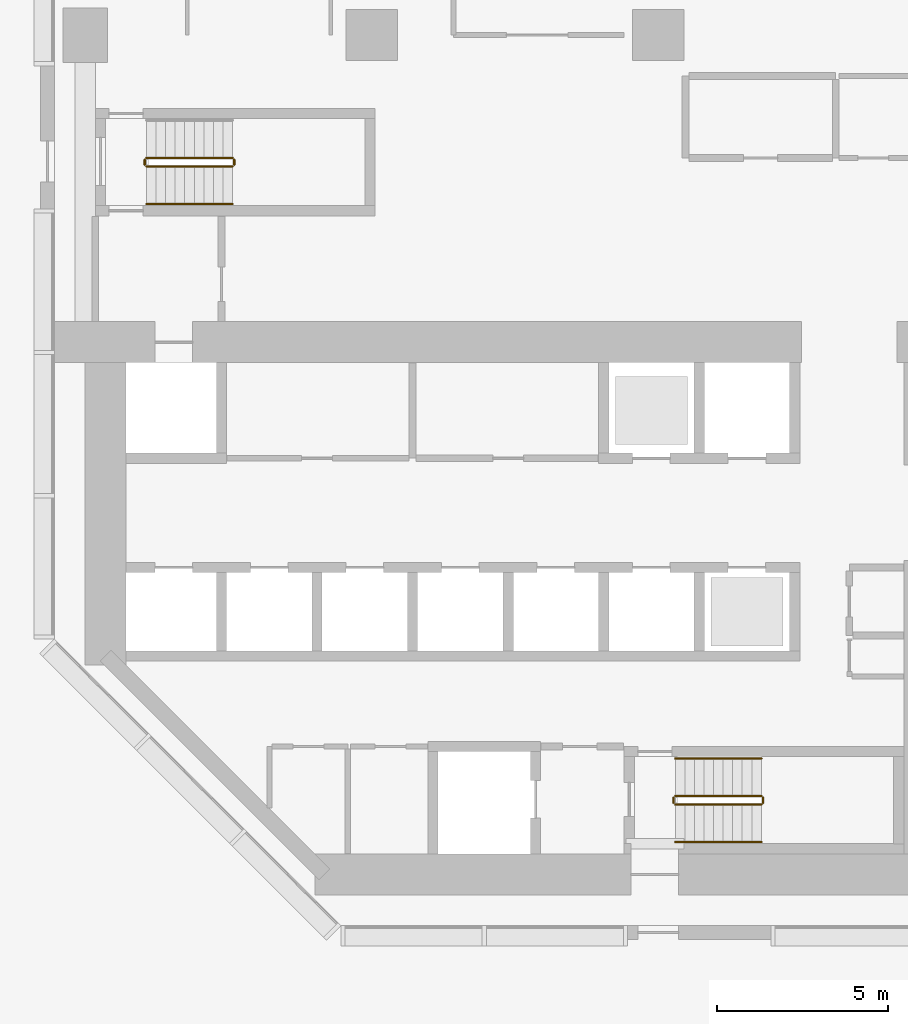
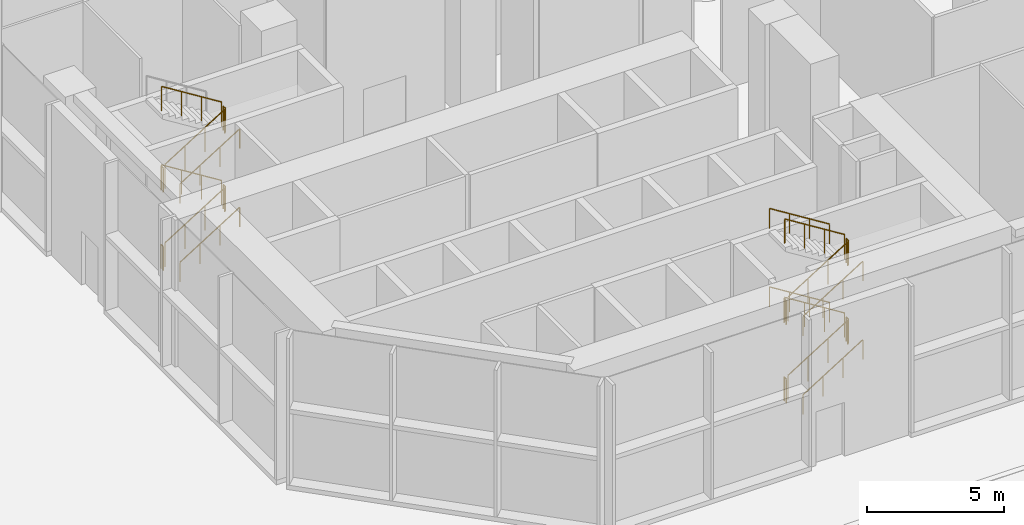
# One storey, part 15 of 21: 22 railings.
"""IFC4 building model written with IfcOpenShell, lengths in metres."""

from ifc_helpers import new_model, si_unit, direction, frame, origin, origin_2d, place, context, subcontext, project, spatial, circle, extrude, material, type_object, element, save


model = new_model("IFC4")

# Units and contexts
model_context = context("Model", 3, precision=1e-05, world=origin(), true_north=direction((0.0, 1.0)))
body_context = subcontext(model_context, "Body", "Model", "MODEL_VIEW")
ifc_project = project(units=[si_unit("LENGTHUNIT", "METRE"), si_unit("AREAUNIT", "SQUARE_METRE"), si_unit("VOLUMEUNIT", "CUBIC_METRE"), si_unit("PLANEANGLEUNIT", "RADIAN"), si_unit("MASSUNIT", "GRAM", prefix="KILO")], contexts=[model_context])

# Site, building, storey
site_placement = place(None, origin())
site = spatial("IfcSite", under=ifc_project, at=site_placement, CompositionType="ELEMENT")
building_placement = place(site_placement, origin())
building = spatial("IfcBuilding", under=site, at=building_placement, Name="Brevane Broadcast Tower", CompositionType="ELEMENT")
storey_placement = place(building_placement, origin())
storey = spatial("IfcBuildingStorey", under=building, at=storey_placement, Name="L00", CompositionType="ELEMENT", Elevation=0.0)

# Railings
ifc_material = material(Name="Steel S355", Category="steel")
railing_type_1 = type_object("IfcRailingType", Name="Exit stair guard", PredefinedType="GUARDRAIL", material=ifc_material)
railing_1_placement = place(storey_placement, frame((1.800048828125, 21.35009765625, 0.175048828125)))
element("IfcRailing", 1, at=railing_1_placement, inside=storey, type_object=railing_type_1, Name="L00 ST-1 stair guard 1", PredefinedType="GUARDRAIL", context=body_context, shape_type="SweptSolid", body=[
    extrude(circle(Radius=0.02392578125, at=origin_2d()), frame((0.0, 0.0, 1.076171875), z_axis=(0.848007534815, 0.0, 0.529984170421), x_axis=(0.0, 1.0, 0.0)), (0.0, 0.0, 1.0), 2.9716796875),
    extrude(circle(Radius=0.02099609375, at=origin_2d()), origin(), (0.0, 0.0, 1.0), 1.052001953125),
    extrude(circle(Radius=0.02099609375, at=origin_2d()), frame((0.840087890625, 0.0, 0.52490234375)), (0.0, 0.0, 1.0), 1.052001953125),
    extrude(circle(Radius=0.02099609375, at=origin_2d()), frame((1.679931640625, 0.0, 1.050048828125)), (0.0, 0.0, 1.0), 1.052001953125),
    extrude(circle(Radius=0.02099609375, at=origin_2d()), frame((2.52001953125, 0.0, 1.574951171875)), (0.0, 0.0, 1.0), 1.052001953125),
])
railing_2_placement = place(storey_placement, frame((4.3701171875, 21.39990234375, 1.75)))
element("IfcRailing", 2, at=railing_2_placement, inside=storey, type_object=railing_type_1, Name="L00 ST-1 stair guard 2", PredefinedType="GUARDRAIL", context=body_context, shape_type="SweptSolid", body=[
    extrude(circle(Radius=0.02392578125, at=origin_2d()), frame((0.0, 0.0, 1.076171875), z_axis=(0.0, 1.0, 0.0), x_axis=(-1.0, 0.0, 0.0)), (0.0, 0.0, 1.0), 0.150146484375),
    extrude(circle(Radius=0.02099609375, at=origin_2d()), origin(), (0.0, 0.0, 1.0), 1.052001953125),
    extrude(circle(Radius=0.02099609375, at=origin_2d()), frame((0.0, 0.150146484375, 0.0)), (0.0, 0.0, 1.0), 1.052001953125),
])
railing_3_placement = place(storey_placement, frame((4.320068359375, 21.60009765625, 1.925048828125)))
element("IfcRailing", 3, at=railing_3_placement, inside=storey, type_object=railing_type_1, Name="L00 ST-1 stair guard 3", PredefinedType="GUARDRAIL", context=body_context, shape_type="SweptSolid", body=[
    extrude(circle(Radius=0.02392578125, at=origin_2d()), frame((0.0, 0.0, 1.076171875), z_axis=(-0.848007534815, 0.0, 0.529984170421), x_axis=(0.0, -1.0, 0.0)), (0.0, 0.0, 1.0), 2.9716796875),
    extrude(circle(Radius=0.02099609375, at=origin_2d()), origin(), (0.0, 0.0, 1.0), 1.052001953125),
    extrude(circle(Radius=0.02099609375, at=origin_2d()), frame((-0.840087890625, 0.0, 0.52490234375)), (0.0, 0.0, 1.0), 1.052001953125),
    extrude(circle(Radius=0.02099609375, at=origin_2d()), frame((-1.679931640625, 0.0, 1.050048828125)), (0.0, 0.0, 1.0), 1.052001953125),
    extrude(circle(Radius=0.02099609375, at=origin_2d()), frame((-2.52001953125, 0.0, 1.574951171875)), (0.0, 0.0, 1.0), 1.052001953125),
])
railing_4_placement = place(storey_placement, frame((1.75, 21.39990234375, 3.5)))
element("IfcRailing", 4, at=railing_4_placement, inside=storey, type_object=railing_type_1, Name="L00 ST-1 stair guard 4", PredefinedType="GUARDRAIL", context=body_context, shape_type="SweptSolid", body=[
    extrude(circle(Radius=0.02392578125, at=origin_2d()), frame((0.0, 0.0, 1.076171875), z_axis=(0.0, 1.0, 0.0), x_axis=(-1.0, 0.0, 0.0)), (0.0, 0.0, 1.0), 0.150146484375),
    extrude(circle(Radius=0.02099609375, at=origin_2d()), origin(), (0.0, 0.0, 1.0), 1.052001953125),
    extrude(circle(Radius=0.02099609375, at=origin_2d()), frame((0.0, 0.150146484375, 0.0)), (0.0, 0.0, 1.0), 1.052001953125),
])
railing_5_placement = place(storey_placement, frame((1.800048828125, 21.35009765625, 3.675048828125)))
element("IfcRailing", 5, at=railing_5_placement, inside=storey, type_object=railing_type_1, Name="L00 ST-1 stair guard 5", PredefinedType="GUARDRAIL", context=body_context, shape_type="SweptSolid", body=[
    extrude(circle(Radius=0.02392578125, at=origin_2d()), frame((0.0, 0.0, 1.076171875), z_axis=(0.848007534815, 0.0, 0.529984170421), x_axis=(0.0, 1.0, 0.0)), (0.0, 0.0, 1.0), 2.9716796875),
    extrude(circle(Radius=0.02099609375, at=origin_2d()), origin(), (0.0, 0.0, 1.0), 1.052001953125),
    extrude(circle(Radius=0.02099609375, at=origin_2d()), frame((0.840087890625, 0.0, 0.52490234375)), (0.0, 0.0, 1.0), 1.052001953125),
    extrude(circle(Radius=0.02099609375, at=origin_2d()), frame((1.679931640625, 0.0, 1.050048828125)), (0.0, 0.0, 1.0), 1.052001953125),
    extrude(circle(Radius=0.02099609375, at=origin_2d()), frame((2.52001953125, 0.0, 1.574951171875)), (0.0, 0.0, 1.0), 1.052001953125),
])
railing_6_placement = place(storey_placement, frame((4.3701171875, 21.39990234375, 5.25)))
element("IfcRailing", 6, at=railing_6_placement, inside=storey, type_object=railing_type_1, Name="L00 ST-1 stair guard 6", PredefinedType="GUARDRAIL", context=body_context, shape_type="SweptSolid", body=[
    extrude(circle(Radius=0.02392578125, at=origin_2d()), frame((0.0, 0.0, 1.076171875), z_axis=(0.0, 1.0, 0.0), x_axis=(-1.0, 0.0, 0.0)), (0.0, 0.0, 1.0), 0.150146484375),
    extrude(circle(Radius=0.02099609375, at=origin_2d()), origin(), (0.0, 0.0, 1.0), 1.052001953125),
    extrude(circle(Radius=0.02099609375, at=origin_2d()), frame((0.0, 0.150146484375, 0.0)), (0.0, 0.0, 1.0), 1.052001953125),
])
railing_7_placement = place(storey_placement, frame((4.320068359375, 21.60009765625, 5.425048828125)))
element("IfcRailing", 7, at=railing_7_placement, inside=storey, type_object=railing_type_1, Name="L00 ST-1 stair guard 7", PredefinedType="GUARDRAIL", context=body_context, shape_type="SweptSolid", body=[
    extrude(circle(Radius=0.02392578125, at=origin_2d()), frame((0.0, 0.0, 1.076171875), z_axis=(-0.848007534815, 0.0, 0.529984170421), x_axis=(0.0, -1.0, 0.0)), (0.0, 0.0, 1.0), 2.9716796875),
    extrude(circle(Radius=0.02099609375, at=origin_2d()), origin(), (0.0, 0.0, 1.0), 1.052001953125),
    extrude(circle(Radius=0.02099609375, at=origin_2d()), frame((-0.840087890625, 0.0, 0.52490234375)), (0.0, 0.0, 1.0), 1.052001953125),
    extrude(circle(Radius=0.02099609375, at=origin_2d()), frame((-1.679931640625, 0.0, 1.050048828125)), (0.0, 0.0, 1.0), 1.052001953125),
    extrude(circle(Radius=0.02099609375, at=origin_2d()), frame((-2.52001953125, 0.0, 1.574951171875)), (0.0, 0.0, 1.0), 1.052001953125),
])
railing_8_placement = place(storey_placement, frame((1.75, 21.39990234375, 0.0)))
element("IfcRailing", 8, at=railing_8_placement, inside=storey, type_object=railing_type_1, Name="L00 ST-1 stair guard 8", PredefinedType="GUARDRAIL", context=body_context, shape_type="SweptSolid", body=[
    extrude(circle(Radius=0.02392578125, at=origin_2d()), frame((0.0, 0.0, 1.076171875), z_axis=(0.0, 1.0, 0.0), x_axis=(-1.0, 0.0, 0.0)), (0.0, 0.0, 1.0), 0.150146484375),
    extrude(circle(Radius=0.02099609375, at=origin_2d()), origin(), (0.0, 0.0, 1.0), 1.052001953125),
    extrude(circle(Radius=0.02099609375, at=origin_2d()), frame((0.0, 0.150146484375, 0.0)), (0.0, 0.0, 1.0), 1.052001953125),
])
railing_9_placement = place(storey_placement, frame((17.300048828125, 2.64990234375, 0.175048828125)))
element("IfcRailing", 9, at=railing_9_placement, inside=storey, type_object=railing_type_1, Name="L00 ST-2 stair guard 1", PredefinedType="GUARDRAIL", context=body_context, shape_type="SweptSolid", body=[
    extrude(circle(Radius=0.02392578125, at=origin_2d()), frame((0.0, 0.0, 1.076171875), z_axis=(0.848007534815, 0.0, 0.529984170421), x_axis=(0.0, 1.0, 0.0)), (0.0, 0.0, 1.0), 2.9716796875),
    extrude(circle(Radius=0.02099609375, at=origin_2d()), origin(), (0.0, 0.0, 1.0), 1.052001953125),
    extrude(circle(Radius=0.02099609375, at=origin_2d()), frame((0.840087890625, 0.0, 0.52490234375)), (0.0, 0.0, 1.0), 1.052001953125),
    extrude(circle(Radius=0.02099609375, at=origin_2d()), frame((1.679931640625, 0.0, 1.050048828125)), (0.0, 0.0, 1.0), 1.052001953125),
    extrude(circle(Radius=0.02099609375, at=origin_2d()), frame((2.52001953125, 0.0, 1.574951171875)), (0.0, 0.0, 1.0), 1.052001953125),
])
railing_10_placement = place(storey_placement, frame((19.8701171875, 2.699951171875, 1.75)))
element("IfcRailing", 10, at=railing_10_placement, inside=storey, type_object=railing_type_1, Name="L00 ST-2 stair guard 2", PredefinedType="GUARDRAIL", context=body_context, shape_type="SweptSolid", body=[
    extrude(circle(Radius=0.02392578125, at=origin_2d()), frame((0.0, 0.0, 1.076171875), z_axis=(0.0, 1.0, 0.0), x_axis=(-1.0, 0.0, 0.0)), (0.0, 0.0, 1.0), 0.150146484375),
    extrude(circle(Radius=0.02099609375, at=origin_2d()), origin(), (0.0, 0.0, 1.0), 1.052001953125),
    extrude(circle(Radius=0.02099609375, at=origin_2d()), frame((0.0, 0.150146484375, 0.0)), (0.0, 0.0, 1.0), 1.052001953125),
])
railing_11_placement = place(storey_placement, frame((19.820068359375, 2.89990234375, 1.925048828125)))
element("IfcRailing", 11, at=railing_11_placement, inside=storey, type_object=railing_type_1, Name="L00 ST-2 stair guard 3", PredefinedType="GUARDRAIL", context=body_context, shape_type="SweptSolid", body=[
    extrude(circle(Radius=0.02392578125, at=origin_2d()), frame((0.0, 0.0, 1.076171875), z_axis=(-0.848007534815, 0.0, 0.529984170421), x_axis=(0.0, -1.0, 0.0)), (0.0, 0.0, 1.0), 2.9716796875),
    extrude(circle(Radius=0.02099609375, at=origin_2d()), origin(), (0.0, 0.0, 1.0), 1.052001953125),
    extrude(circle(Radius=0.02099609375, at=origin_2d()), frame((-0.840087890625, 0.0, 0.52490234375)), (0.0, 0.0, 1.0), 1.052001953125),
    extrude(circle(Radius=0.02099609375, at=origin_2d()), frame((-1.679931640625, 0.0, 1.050048828125)), (0.0, 0.0, 1.0), 1.052001953125),
    extrude(circle(Radius=0.02099609375, at=origin_2d()), frame((-2.52001953125, 0.0, 1.574951171875)), (0.0, 0.0, 1.0), 1.052001953125),
])
railing_12_placement = place(storey_placement, frame((17.25, 2.699951171875, 3.5)))
element("IfcRailing", 12, at=railing_12_placement, inside=storey, type_object=railing_type_1, Name="L00 ST-2 stair guard 4", PredefinedType="GUARDRAIL", context=body_context, shape_type="SweptSolid", body=[
    extrude(circle(Radius=0.02392578125, at=origin_2d()), frame((0.0, 0.0, 1.076171875), z_axis=(0.0, 1.0, 0.0), x_axis=(-1.0, 0.0, 0.0)), (0.0, 0.0, 1.0), 0.150146484375),
    extrude(circle(Radius=0.02099609375, at=origin_2d()), origin(), (0.0, 0.0, 1.0), 1.052001953125),
    extrude(circle(Radius=0.02099609375, at=origin_2d()), frame((0.0, 0.150146484375, 0.0)), (0.0, 0.0, 1.0), 1.052001953125),
])
railing_13_placement = place(storey_placement, frame((17.300048828125, 2.64990234375, 3.675048828125)))
element("IfcRailing", 13, at=railing_13_placement, inside=storey, type_object=railing_type_1, Name="L00 ST-2 stair guard 5", PredefinedType="GUARDRAIL", context=body_context, shape_type="SweptSolid", body=[
    extrude(circle(Radius=0.02392578125, at=origin_2d()), frame((0.0, 0.0, 1.076171875), z_axis=(0.848007534815, 0.0, 0.529984170421), x_axis=(0.0, 1.0, 0.0)), (0.0, 0.0, 1.0), 2.9716796875),
    extrude(circle(Radius=0.02099609375, at=origin_2d()), origin(), (0.0, 0.0, 1.0), 1.052001953125),
    extrude(circle(Radius=0.02099609375, at=origin_2d()), frame((0.840087890625, 0.0, 0.52490234375)), (0.0, 0.0, 1.0), 1.052001953125),
    extrude(circle(Radius=0.02099609375, at=origin_2d()), frame((1.679931640625, 0.0, 1.050048828125)), (0.0, 0.0, 1.0), 1.052001953125),
    extrude(circle(Radius=0.02099609375, at=origin_2d()), frame((2.52001953125, 0.0, 1.574951171875)), (0.0, 0.0, 1.0), 1.052001953125),
])
railing_14_placement = place(storey_placement, frame((19.8701171875, 2.699951171875, 5.25)))
element("IfcRailing", 14, at=railing_14_placement, inside=storey, type_object=railing_type_1, Name="L00 ST-2 stair guard 6", PredefinedType="GUARDRAIL", context=body_context, shape_type="SweptSolid", body=[
    extrude(circle(Radius=0.02392578125, at=origin_2d()), frame((0.0, 0.0, 1.076171875), z_axis=(0.0, 1.0, 0.0), x_axis=(-1.0, 0.0, 0.0)), (0.0, 0.0, 1.0), 0.150146484375),
    extrude(circle(Radius=0.02099609375, at=origin_2d()), origin(), (0.0, 0.0, 1.0), 1.052001953125),
    extrude(circle(Radius=0.02099609375, at=origin_2d()), frame((0.0, 0.150146484375, 0.0)), (0.0, 0.0, 1.0), 1.052001953125),
])
railing_15_placement = place(storey_placement, frame((19.820068359375, 2.89990234375, 5.425048828125)))
element("IfcRailing", 15, at=railing_15_placement, inside=storey, type_object=railing_type_1, Name="L00 ST-2 stair guard 7", PredefinedType="GUARDRAIL", context=body_context, shape_type="SweptSolid", body=[
    extrude(circle(Radius=0.02392578125, at=origin_2d()), frame((0.0, 0.0, 1.076171875), z_axis=(-0.848007534815, 0.0, 0.529984170421), x_axis=(0.0, -1.0, 0.0)), (0.0, 0.0, 1.0), 2.9716796875),
    extrude(circle(Radius=0.02099609375, at=origin_2d()), origin(), (0.0, 0.0, 1.0), 1.052001953125),
    extrude(circle(Radius=0.02099609375, at=origin_2d()), frame((-0.840087890625, 0.0, 0.52490234375)), (0.0, 0.0, 1.0), 1.052001953125),
    extrude(circle(Radius=0.02099609375, at=origin_2d()), frame((-1.679931640625, 0.0, 1.050048828125)), (0.0, 0.0, 1.0), 1.052001953125),
    extrude(circle(Radius=0.02099609375, at=origin_2d()), frame((-2.52001953125, 0.0, 1.574951171875)), (0.0, 0.0, 1.0), 1.052001953125),
])
railing_16_placement = place(storey_placement, frame((17.25, 2.699951171875, 0.0)))
element("IfcRailing", 16, at=railing_16_placement, inside=storey, type_object=railing_type_1, Name="L00 ST-2 stair guard 8", PredefinedType="GUARDRAIL", context=body_context, shape_type="SweptSolid", body=[
    extrude(circle(Radius=0.02392578125, at=origin_2d()), frame((0.0, 0.0, 1.076171875), z_axis=(0.0, 1.0, 0.0), x_axis=(-1.0, 0.0, 0.0)), (0.0, 0.0, 1.0), 0.150146484375),
    extrude(circle(Radius=0.02099609375, at=origin_2d()), origin(), (0.0, 0.0, 1.0), 1.052001953125),
    extrude(circle(Radius=0.02099609375, at=origin_2d()), frame((0.0, 0.150146484375, 0.0)), (0.0, 0.0, 1.0), 1.052001953125),
])
railing_type_2 = type_object("IfcRailingType", Name="Exit stair handrail", PredefinedType="HANDRAIL", material=ifc_material)
for number, where, name in (
    (17, (1.800048828125, 20.25, 0.175048828125), "L00 ST-1 stair handrail 1"),
    (18, (1.800048828125, 20.25, 3.675048828125), "L00 ST-1 stair handrail 3"),
    (19, (17.300048828125, 1.550048828125, 0.175048828125), "L00 ST-2 stair handrail 1"),
):
    element("IfcRailing", number, at=place(storey_placement, frame(where)), inside=storey, type_object=railing_type_2, Name=name, PredefinedType="HANDRAIL", context=body_context, shape_type="SweptSolid", body=[
        extrude(circle(Radius=0.02392578125, at=origin_2d()), frame((0.0, 0.0, 0.8759765625), z_axis=(0.848007534815, 0.0, 0.529984170421), x_axis=(0.0, 1.0, 0.0)), (0.0, 0.0, 1.0), 2.9716796875),
        extrude(circle(Radius=0.02099609375, at=origin_2d()), origin(), (0.0, 0.0, 1.0), 0.851806640625),
        extrude(circle(Radius=0.02099609375, at=origin_2d()), frame((0.840087890625, 0.0, 0.52490234375)), (0.0, 0.0, 1.0), 0.851806640625),
        extrude(circle(Radius=0.02099609375, at=origin_2d()), frame((1.679931640625, 0.0, 1.050048828125)), (0.0, 0.0, 1.0), 0.851806640625),
        extrude(circle(Radius=0.02099609375, at=origin_2d()), frame((2.52001953125, 0.0, 1.574951171875)), (0.0, 0.0, 1.0), 0.851806640625),
    ])
railing_17_placement = place(storey_placement, frame((19.820068359375, 4.0, 1.925048828125)))
element("IfcRailing", 20, at=railing_17_placement, inside=storey, type_object=railing_type_2, Name="L00 ST-2 stair handrail 2", PredefinedType="HANDRAIL", context=body_context, shape_type="SweptSolid", body=[
    extrude(circle(Radius=0.02392578125, at=origin_2d()), frame((0.0, 0.0, 0.8759765625), z_axis=(-0.848007534815, 0.0, 0.529984170421), x_axis=(0.0, -1.0, 0.0)), (0.0, 0.0, 1.0), 2.9716796875),
    extrude(circle(Radius=0.02099609375, at=origin_2d()), origin(), (0.0, 0.0, 1.0), 0.851806640625),
    extrude(circle(Radius=0.02099609375, at=origin_2d()), frame((-0.840087890625, 0.0, 0.52490234375)), (0.0, 0.0, 1.0), 0.851806640625),
    extrude(circle(Radius=0.02099609375, at=origin_2d()), frame((-1.679931640625, 0.0, 1.050048828125)), (0.0, 0.0, 1.0), 0.851806640625),
    extrude(circle(Radius=0.02099609375, at=origin_2d()), frame((-2.52001953125, 0.0, 1.574951171875)), (0.0, 0.0, 1.0), 0.851806640625),
])
railing_18_placement = place(storey_placement, frame((17.300048828125, 1.550048828125, 3.675048828125)))
element("IfcRailing", 21, at=railing_18_placement, inside=storey, type_object=railing_type_2, Name="L00 ST-2 stair handrail 3", PredefinedType="HANDRAIL", context=body_context, shape_type="SweptSolid", body=[
    extrude(circle(Radius=0.02392578125, at=origin_2d()), frame((0.0, 0.0, 0.8759765625), z_axis=(0.848007534815, 0.0, 0.529984170421), x_axis=(0.0, 1.0, 0.0)), (0.0, 0.0, 1.0), 2.9716796875),
    extrude(circle(Radius=0.02099609375, at=origin_2d()), origin(), (0.0, 0.0, 1.0), 0.851806640625),
    extrude(circle(Radius=0.02099609375, at=origin_2d()), frame((0.840087890625, 0.0, 0.52490234375)), (0.0, 0.0, 1.0), 0.851806640625),
    extrude(circle(Radius=0.02099609375, at=origin_2d()), frame((1.679931640625, 0.0, 1.050048828125)), (0.0, 0.0, 1.0), 0.851806640625),
    extrude(circle(Radius=0.02099609375, at=origin_2d()), frame((2.52001953125, 0.0, 1.574951171875)), (0.0, 0.0, 1.0), 0.851806640625),
])
railing_19_placement = place(storey_placement, frame((19.820068359375, 4.0, 5.425048828125)))
element("IfcRailing", 22, at=railing_19_placement, inside=storey, type_object=railing_type_2, Name="L00 ST-2 stair handrail 4", PredefinedType="HANDRAIL", context=body_context, shape_type="SweptSolid", body=[
    extrude(circle(Radius=0.02392578125, at=origin_2d()), frame((0.0, 0.0, 0.8759765625), z_axis=(-0.848007534815, 0.0, 0.529984170421), x_axis=(0.0, -1.0, 0.0)), (0.0, 0.0, 1.0), 2.9716796875),
    extrude(circle(Radius=0.02099609375, at=origin_2d()), origin(), (0.0, 0.0, 1.0), 0.851806640625),
    extrude(circle(Radius=0.02099609375, at=origin_2d()), frame((-0.840087890625, 0.0, 0.52490234375)), (0.0, 0.0, 1.0), 0.851806640625),
    extrude(circle(Radius=0.02099609375, at=origin_2d()), frame((-1.679931640625, 0.0, 1.050048828125)), (0.0, 0.0, 1.0), 0.851806640625),
    extrude(circle(Radius=0.02099609375, at=origin_2d()), frame((-2.52001953125, 0.0, 1.574951171875)), (0.0, 0.0, 1.0), 0.851806640625),
])

save(model, "model.ifc")
